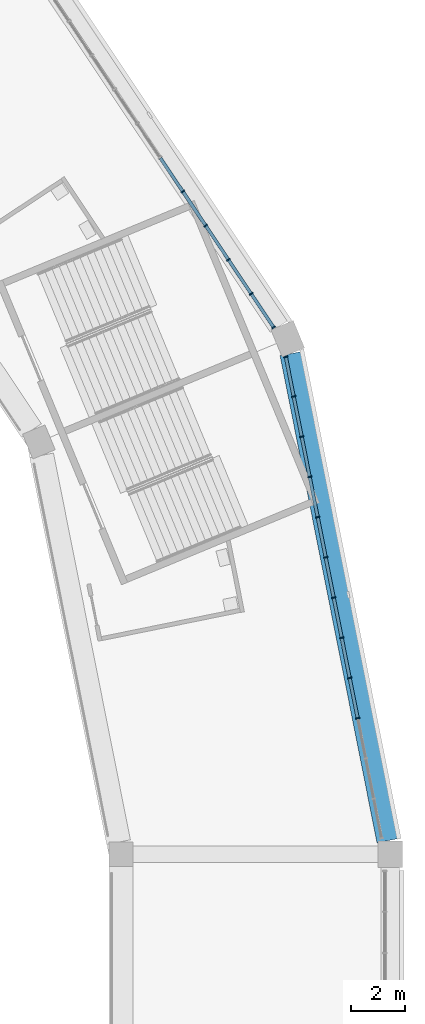
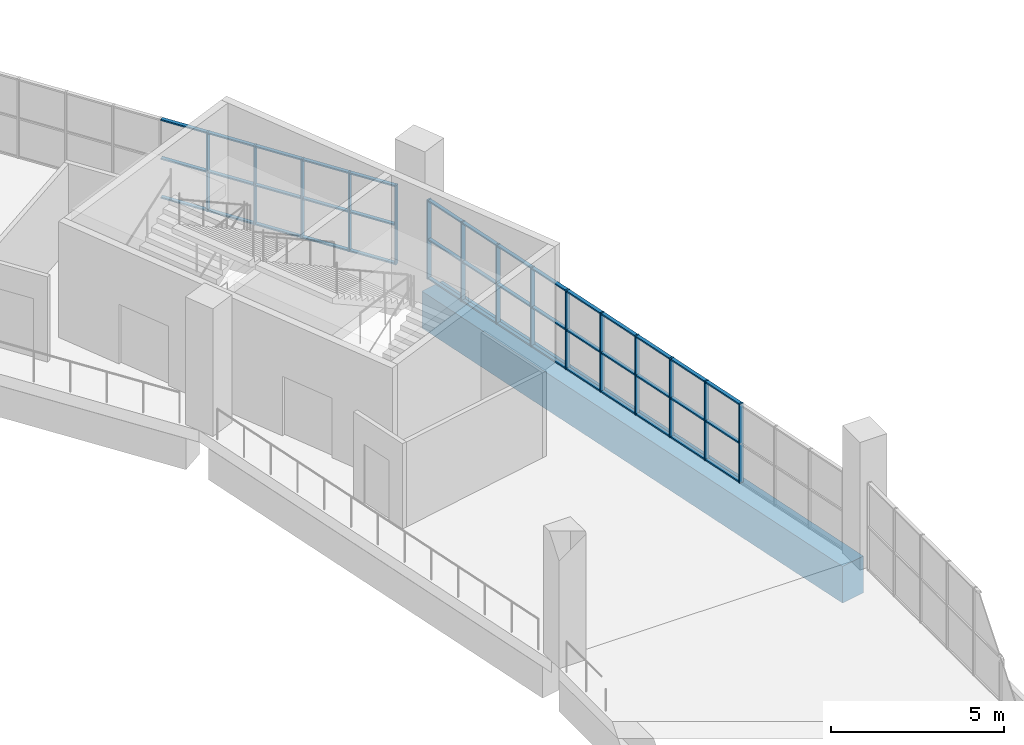
# One storey, part 40 of 177: 57 members, 1 beam, 2 elements without a shape of their own.
"""IFC4 building model written with IfcOpenShell, lengths in metres."""

from ifc_helpers import new_model, si_unit, direction, frame, origin, origin_2d, place, context, subcontext, project, spatial, rectangle, extrude, material, material_profile, profile_set, type_object, element, aggregate, save


model = new_model("IFC4")

# Units and contexts
model_context = context("Model", 3, precision=1e-05, world=origin(), true_north=direction((0.0, 1.0)))
body_context = subcontext(model_context, "Body", "Model", "MODEL_VIEW")
ifc_project = project(units=[si_unit("LENGTHUNIT", "METRE"), si_unit("AREAUNIT", "SQUARE_METRE"), si_unit("VOLUMEUNIT", "CUBIC_METRE"), si_unit("PLANEANGLEUNIT", "RADIAN"), si_unit("MASSUNIT", "GRAM", prefix="KILO")], contexts=[model_context])

# Site, building, storey
site_placement = place(None, origin())
site = spatial("IfcSite", under=ifc_project, at=site_placement, CompositionType="ELEMENT")
building_placement = place(site_placement, origin())
building = spatial("IfcBuilding", under=site, at=building_placement, Name="Ogive Plaza Stadium", CompositionType="ELEMENT")
storey_placement = place(building_placement, frame((0.0, 0.0, 18.0)))
storey = spatial("IfcBuildingStorey", under=building, at=storey_placement, Name="L04", CompositionType="ELEMENT", Elevation=18.0)

# Curtain wall, members
ifc_material_1 = material(Name="Bronze-anodised aluminium with laminated glass", Category="aluminium")
curtain_wall_type = type_object("IfcCurtainWallType", Name="Lancet curtain wall", PredefinedType="NOTDEFINED", material=ifc_material_1)
curtain_wall_1_placement = place(storey_placement, origin())
curtain_wall_1 = element("IfcCurtainWall", 1, at=curtain_wall_1_placement, inside=storey, type_object=curtain_wall_type, Name="CURTAIN WALL B39 L04", PredefinedType="NOTDEFINED")
ifc_material_2 = material(Name="Bronze-anodised aluminium", Category="aluminium")
ifc_material_profile_1 = material_profile(ifc_material_2, rectangle(XDim=0.14990234375, YDim=0.050048828125, at=origin_2d()), Name="AL 150x50")
ifc_profile_set_1 = profile_set([ifc_material_profile_1], Name="Bronze-anodised aluminium")
member_type_1 = type_object("IfcMemberType", Name="Curtain wall mullion 50x150", PredefinedType="MULLION", material=ifc_profile_set_1)
member_1_placement = place(storey_placement, frame((76.2998046875, 77.10205078125, 0.0), z_axis=(0.0, 0.0, 1.0), x_axis=(0.831469612303, 0.55557023302, 0.0)))
member_1 = element("IfcMember", 2, at=member_1_placement, type_object=member_type_1, Name="CW-B39-L04 mullion 9", PredefinedType="MULLION", context=body_context, shape_type="SweptSolid", body=[
    extrude(rectangle(XDim=0.14990234375, YDim=0.050048828125, at=origin_2d()), origin(), (0.0, 0.0, 1.0), 2.7900390625),
])
member_2_placement = place(storey_placement, frame((77.145751953125, 75.836181640625, 0.0), z_axis=(0.0, 0.0, 1.0), x_axis=(0.831469612303, 0.55557023302, 0.0)))
member_2 = element("IfcMember", 3, at=member_2_placement, type_object=member_type_1, Name="CW-B39-L04 mullion 10", PredefinedType="MULLION", context=body_context, shape_type="SweptSolid", body=[
    extrude(rectangle(XDim=0.14990234375, YDim=0.050048828125, at=origin_2d()), origin(), (0.0, 0.0, 1.0), 2.7900390625),
])
member_3_placement = place(storey_placement, frame((77.991455078125, 74.570556640625, 0.0), z_axis=(0.0, 0.0, 1.0), x_axis=(0.831469612303, 0.55557023302, 0.0)))
member_3 = element("IfcMember", 4, at=member_3_placement, type_object=member_type_1, Name="CW-B39-L04 mullion 11", PredefinedType="MULLION", context=body_context, shape_type="SweptSolid", body=[
    extrude(rectangle(XDim=0.14990234375, YDim=0.050048828125, at=origin_2d()), origin(), (0.0, 0.0, 1.0), 2.7900390625),
])
member_4_placement = place(storey_placement, frame((78.837158203125, 73.3046875, 0.0), z_axis=(0.0, 0.0, 1.0), x_axis=(0.831469612303, 0.55557023302, 0.0)))
member_4 = element("IfcMember", 5, at=member_4_placement, type_object=member_type_1, Name="CW-B39-L04 mullion 12", PredefinedType="MULLION", context=body_context, shape_type="SweptSolid", body=[
    extrude(rectangle(XDim=0.14990234375, YDim=0.050048828125, at=origin_2d()), origin(), (0.0, 0.0, 1.0), 2.7900390625),
])
member_5_placement = place(storey_placement, frame((79.669189453125, 72.059814453125, 0.0), z_axis=(0.0, 0.0, 1.0), x_axis=(0.831469612303, 0.55557023302, 0.0)))
member_5 = element("IfcMember", 6, at=member_5_placement, type_object=member_type_1, Name="CW-B39-L04 mullion 13", PredefinedType="MULLION", context=body_context, shape_type="SweptSolid", body=[
    extrude(rectangle(XDim=0.14990234375, YDim=0.050048828125, at=origin_2d()), origin(), (0.0, 0.0, 1.0), 2.7900390625),
])

curtain_wall_2_placement = place(storey_placement, origin())
curtain_wall_2 = element("IfcCurtainWall", 7, at=curtain_wall_2_placement, inside=storey, type_object=curtain_wall_type, Name="CURTAIN WALL B40 L04", PredefinedType="NOTDEFINED")
member_6_placement = place(storey_placement, frame((80.123779296875, 70.962158203125, 0.0), z_axis=(0.0, 0.0, 1.0), x_axis=(0.9807852804, 0.195090322033, 0.0)))
member_6 = element("IfcMember", 8, at=member_6_placement, type_object=member_type_1, Name="CW-B40-L04 mullion 1", PredefinedType="MULLION", context=body_context, shape_type="SweptSolid", body=[
    extrude(rectangle(XDim=0.14990234375, YDim=0.050048828125, at=origin_2d()), origin(), (0.0, 0.0, 1.0), 2.7900390625),
])
member_7_placement = place(storey_placement, frame((80.415771484375, 69.49365234375, 0.0), z_axis=(0.0, 0.0, 1.0), x_axis=(0.9807852804, 0.195090322033, 0.0)))
member_7 = element("IfcMember", 9, at=member_7_placement, type_object=member_type_1, Name="CW-B40-L04 mullion 2", PredefinedType="MULLION", context=body_context, shape_type="SweptSolid", body=[
    extrude(rectangle(XDim=0.14990234375, YDim=0.050048828125, at=origin_2d()), origin(), (0.0, 0.0, 1.0), 2.7900390625),
])
member_8_placement = place(storey_placement, frame((80.712890625, 68.00048828125, 0.0), z_axis=(0.0, 0.0, 1.0), x_axis=(0.9807852804, 0.195090322033, 0.0)))
member_8 = element("IfcMember", 10, at=member_8_placement, type_object=member_type_1, Name="CW-B40-L04 mullion 3", PredefinedType="MULLION", context=body_context, shape_type="SweptSolid", body=[
    extrude(rectangle(XDim=0.14990234375, YDim=0.050048828125, at=origin_2d()), origin(), (0.0, 0.0, 1.0), 2.7900390625),
])
member_9_placement = place(storey_placement, frame((81.009765625, 66.50732421875, 0.0), z_axis=(0.0, 0.0, 1.0), x_axis=(0.9807852804, 0.195090322033, 0.0)))
member_9 = element("IfcMember", 11, at=member_9_placement, type_object=member_type_1, Name="CW-B40-L04 mullion 4", PredefinedType="MULLION", context=body_context, shape_type="SweptSolid", body=[
    extrude(rectangle(XDim=0.14990234375, YDim=0.050048828125, at=origin_2d()), origin(), (0.0, 0.0, 1.0), 2.7900390625),
])
member_10_placement = place(storey_placement, frame((81.306884765625, 65.01416015625, 0.0), z_axis=(0.0, 0.0, 1.0), x_axis=(0.9807852804, 0.195090322033, 0.0)))
member_10 = element("IfcMember", 12, at=member_10_placement, type_object=member_type_1, Name="CW-B40-L04 mullion 5", PredefinedType="MULLION", context=body_context, shape_type="SweptSolid", body=[
    extrude(rectangle(XDim=0.14990234375, YDim=0.050048828125, at=origin_2d()), origin(), (0.0, 0.0, 1.0), 2.7900390625),
])
member_11_placement = place(storey_placement, frame((81.603759765625, 63.521240234375, 0.0), z_axis=(0.0, 0.0, 1.0), x_axis=(0.9807852804, 0.195090322033, 0.0)))
member_11 = element("IfcMember", 13, at=member_11_placement, type_object=member_type_1, Name="CW-B40-L04 mullion 6", PredefinedType="MULLION", context=body_context, shape_type="SweptSolid", body=[
    extrude(rectangle(XDim=0.14990234375, YDim=0.050048828125, at=origin_2d()), origin(), (0.0, 0.0, 1.0), 2.7900390625),
])
member_12_placement = place(storey_placement, frame((81.90087890625, 62.028076171875, 0.0), z_axis=(0.0, 0.0, 1.0), x_axis=(0.9807852804, 0.195090322033, 0.0)))
member_12 = element("IfcMember", 14, at=member_12_placement, type_object=member_type_1, Name="CW-B40-L04 mullion 7", PredefinedType="MULLION", context=body_context, shape_type="SweptSolid", body=[
    extrude(rectangle(XDim=0.14990234375, YDim=0.050048828125, at=origin_2d()), origin(), (0.0, 0.0, 1.0), 2.7900390625),
])
member_13_placement = place(storey_placement, frame((82.19775390625, 60.534912109375, 0.0), z_axis=(0.0, 0.0, 1.0), x_axis=(0.9807852804, 0.195090322033, 0.0)))
member_13 = element("IfcMember", 15, at=member_13_placement, type_object=member_type_1, Name="CW-B40-L04 mullion 8", PredefinedType="MULLION", context=body_context, shape_type="SweptSolid", body=[
    extrude(rectangle(XDim=0.14990234375, YDim=0.050048828125, at=origin_2d()), origin(), (0.0, 0.0, 1.0), 2.7900390625),
])
member_14_placement = place(storey_placement, frame((82.494873046875, 59.0419921875, 0.0), z_axis=(0.0, 0.0, 1.0), x_axis=(0.9807852804, 0.195090322033, 0.0)))
member_14 = element("IfcMember", 16, at=member_14_placement, type_object=member_type_1, Name="CW-B40-L04 mullion 9", PredefinedType="MULLION", context=body_context, shape_type="SweptSolid", body=[
    extrude(rectangle(XDim=0.14990234375, YDim=0.050048828125, at=origin_2d()), origin(), (0.0, 0.0, 1.0), 2.7900390625),
])
member_15_placement = place(storey_placement, frame((82.791748046875, 57.548828125, 0.0), z_axis=(0.0, 0.0, 1.0), x_axis=(0.9807852804, 0.195090322033, 0.0)))
member_15 = element("IfcMember", 17, at=member_15_placement, type_object=member_type_1, Name="CW-B40-L04 mullion 10", PredefinedType="MULLION", context=body_context, shape_type="SweptSolid", body=[
    extrude(rectangle(XDim=0.14990234375, YDim=0.050048828125, at=origin_2d()), origin(), (0.0, 0.0, 1.0), 2.7900390625),
])

# Member
ifc_material_3 = material(Name="Bronze-anodised aluminium", Category="aluminium")
ifc_material_profile_2 = material_profile(ifc_material_3, rectangle(XDim=0.1201171875, YDim=0.050048828125, at=origin_2d()), Name="AL 120x50")
ifc_profile_set_2 = profile_set([ifc_material_profile_2], Name="Bronze-anodised aluminium")
member_type_2 = type_object("IfcMemberType", Name="Curtain wall transom 50x120", PredefinedType="USERDEFINED", material=ifc_profile_set_2)
member_16_placement = place(storey_placement, frame((75.468017578125, 78.34716796875, 0.02490234375), z_axis=(0.555579876157, -0.831463168883, 0.0), x_axis=(0.831463168883, 0.555579876157, 0.0)))
member_16 = element("IfcMember", 18, at=member_16_placement, type_object=member_type_2, Name="CW-B39-L04 transom 8.1", ObjectType="TRANSOM", PredefinedType="USERDEFINED", context=body_context, shape_type="SweptSolid", body=[
    extrude(rectangle(XDim=0.1201171875, YDim=0.050048828125, at=origin_2d()), origin(), (0.0, 0.0, 1.0), 1.47265625),
])

member_17_placement = place(storey_placement, frame((75.468017578125, 78.34716796875, 1.39501953125), z_axis=(0.555579876157, -0.831463168883, 0.0), x_axis=(0.831463168883, 0.555579876157, 0.0)))
member_17 = element("IfcMember", 19, at=member_17_placement, type_object=member_type_2, Name="CW-B39-L04 transom 8.2", ObjectType="TRANSOM", PredefinedType="USERDEFINED", context=body_context, shape_type="SweptSolid", body=[
    extrude(rectangle(XDim=0.1201171875, YDim=0.050048828125, at=origin_2d()), origin(), (0.0, 0.0, 1.0), 1.47265625),
])

member_18_placement = place(storey_placement, frame((75.468017578125, 78.34716796875, 2.764892578125), z_axis=(0.555579876157, -0.831463168883, 0.0), x_axis=(0.831463168883, 0.555579876157, 0.0)))
member_18 = element("IfcMember", 20, at=member_18_placement, type_object=member_type_2, Name="CW-B39-L04 transom 8.3", ObjectType="TRANSOM", PredefinedType="USERDEFINED", context=body_context, shape_type="SweptSolid", body=[
    extrude(rectangle(XDim=0.1201171875, YDim=0.050048828125, at=origin_2d()), origin(), (0.0, 0.0, 1.0), 1.47265625),
])

member_19_placement = place(storey_placement, frame((76.313720703125, 77.081298828125, 0.02490234375), z_axis=(0.555656472512, -0.831411982446, 0.0), x_axis=(0.831411982446, 0.555656472512, 0.0)))
member_19 = element("IfcMember", 21, at=member_19_placement, type_object=member_type_2, Name="CW-B39-L04 transom 9.1", ObjectType="TRANSOM", PredefinedType="USERDEFINED", context=body_context, shape_type="SweptSolid", body=[
    extrude(rectangle(XDim=0.1201171875, YDim=0.050048828125, at=origin_2d()), origin(), (0.0, 0.0, 1.0), 1.472412109375),
])

member_20_placement = place(storey_placement, frame((76.313720703125, 77.081298828125, 1.39501953125), z_axis=(0.555656472512, -0.831411982446, 0.0), x_axis=(0.831411982446, 0.555656472512, 0.0)))
member_20 = element("IfcMember", 22, at=member_20_placement, type_object=member_type_2, Name="CW-B39-L04 transom 9.2", ObjectType="TRANSOM", PredefinedType="USERDEFINED", context=body_context, shape_type="SweptSolid", body=[
    extrude(rectangle(XDim=0.1201171875, YDim=0.050048828125, at=origin_2d()), origin(), (0.0, 0.0, 1.0), 1.472412109375),
])

member_21_placement = place(storey_placement, frame((76.313720703125, 77.081298828125, 2.764892578125), z_axis=(0.555656472512, -0.831411982446, 0.0), x_axis=(0.831411982446, 0.555656472512, 0.0)))
member_21 = element("IfcMember", 23, at=member_21_placement, type_object=member_type_2, Name="CW-B39-L04 transom 9.3", ObjectType="TRANSOM", PredefinedType="USERDEFINED", context=body_context, shape_type="SweptSolid", body=[
    extrude(rectangle(XDim=0.1201171875, YDim=0.050048828125, at=origin_2d()), origin(), (0.0, 0.0, 1.0), 1.472412109375),
])

member_22_placement = place(storey_placement, frame((77.15966796875, 75.8154296875, 0.02490234375), z_axis=(0.555541835587, -0.831488586159, 0.0), x_axis=(0.831488586159, 0.555541835587, 0.0)))
member_22 = element("IfcMember", 24, at=member_22_placement, type_object=member_type_2, Name="CW-B39-L04 transom 10.1", ObjectType="TRANSOM", PredefinedType="USERDEFINED", context=body_context, shape_type="SweptSolid", body=[
    extrude(rectangle(XDim=0.1201171875, YDim=0.050048828125, at=origin_2d()), origin(), (0.0, 0.0, 1.0), 1.47216796875),
])

member_23_placement = place(storey_placement, frame((77.15966796875, 75.8154296875, 1.39501953125), z_axis=(0.555541835587, -0.831488586159, 0.0), x_axis=(0.831488586159, 0.555541835587, 0.0)))
member_23 = element("IfcMember", 25, at=member_23_placement, type_object=member_type_2, Name="CW-B39-L04 transom 10.2", ObjectType="TRANSOM", PredefinedType="USERDEFINED", context=body_context, shape_type="SweptSolid", body=[
    extrude(rectangle(XDim=0.1201171875, YDim=0.050048828125, at=origin_2d()), origin(), (0.0, 0.0, 1.0), 1.47216796875),
])

member_24_placement = place(storey_placement, frame((77.15966796875, 75.8154296875, 2.764892578125), z_axis=(0.555541835587, -0.831488586159, 0.0), x_axis=(0.831488586159, 0.555541835587, 0.0)))
member_24 = element("IfcMember", 26, at=member_24_placement, type_object=member_type_2, Name="CW-B39-L04 transom 10.3", ObjectType="TRANSOM", PredefinedType="USERDEFINED", context=body_context, shape_type="SweptSolid", body=[
    extrude(rectangle(XDim=0.1201171875, YDim=0.050048828125, at=origin_2d()), origin(), (0.0, 0.0, 1.0), 1.47216796875),
])

member_25_placement = place(storey_placement, frame((78.00537109375, 74.5498046875, 0.02490234375), z_axis=(0.555465240925, -0.83153975619, 0.0), x_axis=(0.83153975619, 0.555465240925, 0.0)))
member_25 = element("IfcMember", 27, at=member_25_placement, type_object=member_type_2, Name="CW-B39-L04 transom 11.1", ObjectType="TRANSOM", PredefinedType="USERDEFINED", context=body_context, shape_type="SweptSolid", body=[
    extrude(rectangle(XDim=0.1201171875, YDim=0.050048828125, at=origin_2d()), origin(), (0.0, 0.0, 1.0), 1.472412109375),
])

member_26_placement = place(storey_placement, frame((78.00537109375, 74.5498046875, 1.39501953125), z_axis=(0.555465240925, -0.83153975619, 0.0), x_axis=(0.83153975619, 0.555465240925, 0.0)))
member_26 = element("IfcMember", 28, at=member_26_placement, type_object=member_type_2, Name="CW-B39-L04 transom 11.2", ObjectType="TRANSOM", PredefinedType="USERDEFINED", context=body_context, shape_type="SweptSolid", body=[
    extrude(rectangle(XDim=0.1201171875, YDim=0.050048828125, at=origin_2d()), origin(), (0.0, 0.0, 1.0), 1.472412109375),
])

member_27_placement = place(storey_placement, frame((78.00537109375, 74.5498046875, 2.764892578125), z_axis=(0.555465240925, -0.83153975619, 0.0), x_axis=(0.83153975619, 0.555465240925, 0.0)))
member_27 = element("IfcMember", 29, at=member_27_placement, type_object=member_type_2, Name="CW-B39-L04 transom 11.3", ObjectType="TRANSOM", PredefinedType="USERDEFINED", context=body_context, shape_type="SweptSolid", body=[
    extrude(rectangle(XDim=0.1201171875, YDim=0.050048828125, at=origin_2d()), origin(), (0.0, 0.0, 1.0), 1.472412109375),
])

member_28_placement = place(storey_placement, frame((78.85107421875, 73.283935546875, 0.02490234375), z_axis=(0.555634077892, -0.831426948977, 0.0), x_axis=(0.831426948977, 0.555634077892, 0.0)))
member_28 = element("IfcMember", 30, at=member_28_placement, type_object=member_type_2, Name="CW-B39-L04 transom 12.1", ObjectType="TRANSOM", PredefinedType="USERDEFINED", context=body_context, shape_type="SweptSolid", body=[
    extrude(rectangle(XDim=0.1201171875, YDim=0.050048828125, at=origin_2d()), origin(), (0.0, 0.0, 1.0), 1.447265625),
])

member_29_placement = place(storey_placement, frame((78.85107421875, 73.283935546875, 1.39501953125), z_axis=(0.555634077892, -0.831426948977, 0.0), x_axis=(0.831426948977, 0.555634077892, 0.0)))
member_29 = element("IfcMember", 31, at=member_29_placement, type_object=member_type_2, Name="CW-B39-L04 transom 12.2", ObjectType="TRANSOM", PredefinedType="USERDEFINED", context=body_context, shape_type="SweptSolid", body=[
    extrude(rectangle(XDim=0.1201171875, YDim=0.050048828125, at=origin_2d()), origin(), (0.0, 0.0, 1.0), 1.447265625),
])

member_30_placement = place(storey_placement, frame((78.85107421875, 73.283935546875, 2.764892578125), z_axis=(0.555634077892, -0.831426948977, 0.0), x_axis=(0.831426948977, 0.555634077892, 0.0)))
member_30 = element("IfcMember", 32, at=member_30_placement, type_object=member_type_2, Name="CW-B39-L04 transom 12.3", ObjectType="TRANSOM", PredefinedType="USERDEFINED", context=body_context, shape_type="SweptSolid", body=[
    extrude(rectangle(XDim=0.1201171875, YDim=0.050048828125, at=origin_2d()), origin(), (0.0, 0.0, 1.0), 1.447265625),
])

aggregate(curtain_wall_1, [member_1, member_2, member_3, member_4, member_5, member_16, member_17, member_18, member_19, member_20, member_21, member_22, member_23, member_24, member_25, member_26, member_27, member_28, member_29, member_30])

member_31_placement = place(storey_placement, frame((80.128662109375, 70.9375, 0.02490234375), z_axis=(0.195012996379, -0.98080065826, 0.0), x_axis=(0.98080065826, 0.195012996379, 0.0)))
member_31 = element("IfcMember", 33, at=member_31_placement, type_object=member_type_2, Name="CW-B40-L04 transom 1.1", ObjectType="TRANSOM", PredefinedType="USERDEFINED", context=body_context, shape_type="SweptSolid", body=[
    extrude(rectangle(XDim=0.1201171875, YDim=0.050048828125, at=origin_2d()), origin(), (0.0, 0.0, 1.0), 1.447265625),
])

member_32_placement = place(storey_placement, frame((80.128662109375, 70.9375, 1.39501953125), z_axis=(0.195012996379, -0.98080065826, 0.0), x_axis=(0.98080065826, 0.195012996379, 0.0)))
member_32 = element("IfcMember", 34, at=member_32_placement, type_object=member_type_2, Name="CW-B40-L04 transom 1.2", ObjectType="TRANSOM", PredefinedType="USERDEFINED", context=body_context, shape_type="SweptSolid", body=[
    extrude(rectangle(XDim=0.1201171875, YDim=0.050048828125, at=origin_2d()), origin(), (0.0, 0.0, 1.0), 1.447265625),
])

member_33_placement = place(storey_placement, frame((80.128662109375, 70.9375, 2.764892578125), z_axis=(0.195012996379, -0.98080065826, 0.0), x_axis=(0.98080065826, 0.195012996379, 0.0)))
member_33 = element("IfcMember", 35, at=member_33_placement, type_object=member_type_2, Name="CW-B40-L04 transom 1.3", ObjectType="TRANSOM", PredefinedType="USERDEFINED", context=body_context, shape_type="SweptSolid", body=[
    extrude(rectangle(XDim=0.1201171875, YDim=0.050048828125, at=origin_2d()), origin(), (0.0, 0.0, 1.0), 1.447265625),
])

member_34_placement = place(storey_placement, frame((80.420654296875, 69.468994140625, 0.02490234375), z_axis=(0.195159440417, -0.980771529367, 0.0), x_axis=(0.980771529367, 0.195159440417, 0.0)))
member_34 = element("IfcMember", 36, at=member_34_placement, type_object=member_type_2, Name="CW-B40-L04 transom 2.1", ObjectType="TRANSOM", PredefinedType="USERDEFINED", context=body_context, shape_type="SweptSolid", body=[
    extrude(rectangle(XDim=0.1201171875, YDim=0.050048828125, at=origin_2d()), origin(), (0.0, 0.0, 1.0), 1.472412109375),
])

member_35_placement = place(storey_placement, frame((80.420654296875, 69.468994140625, 1.39501953125), z_axis=(0.195159440417, -0.980771529367, 0.0), x_axis=(0.980771529367, 0.195159440417, 0.0)))
member_35 = element("IfcMember", 37, at=member_35_placement, type_object=member_type_2, Name="CW-B40-L04 transom 2.2", ObjectType="TRANSOM", PredefinedType="USERDEFINED", context=body_context, shape_type="SweptSolid", body=[
    extrude(rectangle(XDim=0.1201171875, YDim=0.050048828125, at=origin_2d()), origin(), (0.0, 0.0, 1.0), 1.472412109375),
])

member_36_placement = place(storey_placement, frame((80.420654296875, 69.468994140625, 2.764892578125), z_axis=(0.195159440417, -0.980771529367, 0.0), x_axis=(0.980771529367, 0.195159440417, 0.0)))
member_36 = element("IfcMember", 38, at=member_36_placement, type_object=member_type_2, Name="CW-B40-L04 transom 2.3", ObjectType="TRANSOM", PredefinedType="USERDEFINED", context=body_context, shape_type="SweptSolid", body=[
    extrude(rectangle(XDim=0.1201171875, YDim=0.050048828125, at=origin_2d()), origin(), (0.0, 0.0, 1.0), 1.472412109375),
])

member_37_placement = place(storey_placement, frame((80.7177734375, 67.975830078125, 0.02490234375), z_axis=(0.19503165555, -0.980796948065, 0.0), x_axis=(0.980796948065, 0.19503165555, 0.0)))
member_37 = element("IfcMember", 39, at=member_37_placement, type_object=member_type_2, Name="CW-B40-L04 transom 3.1", ObjectType="TRANSOM", PredefinedType="USERDEFINED", context=body_context, shape_type="SweptSolid", body=[
    extrude(rectangle(XDim=0.1201171875, YDim=0.050048828125, at=origin_2d()), origin(), (0.0, 0.0, 1.0), 1.47216796875),
])

member_38_placement = place(storey_placement, frame((80.7177734375, 67.975830078125, 1.39501953125), z_axis=(0.19503165555, -0.980796948065, 0.0), x_axis=(0.980796948065, 0.19503165555, 0.0)))
member_38 = element("IfcMember", 40, at=member_38_placement, type_object=member_type_2, Name="CW-B40-L04 transom 3.2", ObjectType="TRANSOM", PredefinedType="USERDEFINED", context=body_context, shape_type="SweptSolid", body=[
    extrude(rectangle(XDim=0.1201171875, YDim=0.050048828125, at=origin_2d()), origin(), (0.0, 0.0, 1.0), 1.47216796875),
])

member_39_placement = place(storey_placement, frame((80.7177734375, 67.975830078125, 2.764892578125), z_axis=(0.19503165555, -0.980796948065, 0.0), x_axis=(0.980796948065, 0.19503165555, 0.0)))
member_39 = element("IfcMember", 41, at=member_39_placement, type_object=member_type_2, Name="CW-B40-L04 transom 3.3", ObjectType="TRANSOM", PredefinedType="USERDEFINED", context=body_context, shape_type="SweptSolid", body=[
    extrude(rectangle(XDim=0.1201171875, YDim=0.050048828125, at=origin_2d()), origin(), (0.0, 0.0, 1.0), 1.47216796875),
])

member_40_placement = place(storey_placement, frame((81.0146484375, 66.48291015625, 0.02490234375), z_axis=(0.195159440417, -0.980771529367, 0.0), x_axis=(0.980771529367, 0.195159440417, 0.0)))
member_40 = element("IfcMember", 42, at=member_40_placement, type_object=member_type_2, Name="CW-B40-L04 transom 4.1", ObjectType="TRANSOM", PredefinedType="USERDEFINED", context=body_context, shape_type="SweptSolid", body=[
    extrude(rectangle(XDim=0.1201171875, YDim=0.050048828125, at=origin_2d()), origin(), (0.0, 0.0, 1.0), 1.472412109375),
])

member_41_placement = place(storey_placement, frame((81.0146484375, 66.48291015625, 1.39501953125), z_axis=(0.195159440417, -0.980771529367, 0.0), x_axis=(0.980771529367, 0.195159440417, 0.0)))
member_41 = element("IfcMember", 43, at=member_41_placement, type_object=member_type_2, Name="CW-B40-L04 transom 4.2", ObjectType="TRANSOM", PredefinedType="USERDEFINED", context=body_context, shape_type="SweptSolid", body=[
    extrude(rectangle(XDim=0.1201171875, YDim=0.050048828125, at=origin_2d()), origin(), (0.0, 0.0, 1.0), 1.472412109375),
])

member_42_placement = place(storey_placement, frame((81.0146484375, 66.48291015625, 2.764892578125), z_axis=(0.195159440417, -0.980771529367, 0.0), x_axis=(0.980771529367, 0.195159440417, 0.0)))
member_42 = element("IfcMember", 44, at=member_42_placement, type_object=member_type_2, Name="CW-B40-L04 transom 4.3", ObjectType="TRANSOM", PredefinedType="USERDEFINED", context=body_context, shape_type="SweptSolid", body=[
    extrude(rectangle(XDim=0.1201171875, YDim=0.050048828125, at=origin_2d()), origin(), (0.0, 0.0, 1.0), 1.472412109375),
])

member_43_placement = place(storey_placement, frame((81.311767578125, 64.98974609375, 0.02490234375), z_axis=(0.194999937042, -0.980803254763, 0.0), x_axis=(0.980803254763, 0.194999937042, 0.0)))
member_43 = element("IfcMember", 45, at=member_43_placement, type_object=member_type_2, Name="CW-B40-L04 transom 5.1", ObjectType="TRANSOM", PredefinedType="USERDEFINED", context=body_context, shape_type="SweptSolid", body=[
    extrude(rectangle(XDim=0.1201171875, YDim=0.050048828125, at=origin_2d()), origin(), (0.0, 0.0, 1.0), 1.472412109375),
])

member_44_placement = place(storey_placement, frame((81.311767578125, 64.98974609375, 1.39501953125), z_axis=(0.194999937042, -0.980803254763, 0.0), x_axis=(0.980803254763, 0.194999937042, 0.0)))
member_44 = element("IfcMember", 46, at=member_44_placement, type_object=member_type_2, Name="CW-B40-L04 transom 5.2", ObjectType="TRANSOM", PredefinedType="USERDEFINED", context=body_context, shape_type="SweptSolid", body=[
    extrude(rectangle(XDim=0.1201171875, YDim=0.050048828125, at=origin_2d()), origin(), (0.0, 0.0, 1.0), 1.472412109375),
])

member_45_placement = place(storey_placement, frame((81.311767578125, 64.98974609375, 2.764892578125), z_axis=(0.194999937042, -0.980803254763, 0.0), x_axis=(0.980803254763, 0.194999937042, 0.0)))
member_45 = element("IfcMember", 47, at=member_45_placement, type_object=member_type_2, Name="CW-B40-L04 transom 5.3", ObjectType="TRANSOM", PredefinedType="USERDEFINED", context=body_context, shape_type="SweptSolid", body=[
    extrude(rectangle(XDim=0.1201171875, YDim=0.050048828125, at=origin_2d()), origin(), (0.0, 0.0, 1.0), 1.472412109375),
])

member_46_placement = place(storey_placement, frame((81.608642578125, 63.49658203125, 0.02490234375), z_axis=(0.195159440417, -0.980771529367, 0.0), x_axis=(0.980771529367, 0.195159440417, 0.0)))
member_46 = element("IfcMember", 48, at=member_46_placement, type_object=member_type_2, Name="CW-B40-L04 transom 6.1", ObjectType="TRANSOM", PredefinedType="USERDEFINED", context=body_context, shape_type="SweptSolid", body=[
    extrude(rectangle(XDim=0.1201171875, YDim=0.050048828125, at=origin_2d()), origin(), (0.0, 0.0, 1.0), 1.472412109375),
])

member_47_placement = place(storey_placement, frame((81.608642578125, 63.49658203125, 1.39501953125), z_axis=(0.195159440417, -0.980771529367, 0.0), x_axis=(0.980771529367, 0.195159440417, 0.0)))
member_47 = element("IfcMember", 49, at=member_47_placement, type_object=member_type_2, Name="CW-B40-L04 transom 6.2", ObjectType="TRANSOM", PredefinedType="USERDEFINED", context=body_context, shape_type="SweptSolid", body=[
    extrude(rectangle(XDim=0.1201171875, YDim=0.050048828125, at=origin_2d()), origin(), (0.0, 0.0, 1.0), 1.472412109375),
])

member_48_placement = place(storey_placement, frame((81.608642578125, 63.49658203125, 2.764892578125), z_axis=(0.195159440417, -0.980771529367, 0.0), x_axis=(0.980771529367, 0.195159440417, 0.0)))
member_48 = element("IfcMember", 50, at=member_48_placement, type_object=member_type_2, Name="CW-B40-L04 transom 6.3", ObjectType="TRANSOM", PredefinedType="USERDEFINED", context=body_context, shape_type="SweptSolid", body=[
    extrude(rectangle(XDim=0.1201171875, YDim=0.050048828125, at=origin_2d()), origin(), (0.0, 0.0, 1.0), 1.472412109375),
])

member_49_placement = place(storey_placement, frame((81.90576171875, 62.003662109375, 0.02490234375), z_axis=(0.194999937042, -0.980803254763, 0.0), x_axis=(0.980803254763, 0.194999937042, 0.0)))
member_49 = element("IfcMember", 51, at=member_49_placement, type_object=member_type_2, Name="CW-B40-L04 transom 7.1", ObjectType="TRANSOM", PredefinedType="USERDEFINED", context=body_context, shape_type="SweptSolid", body=[
    extrude(rectangle(XDim=0.1201171875, YDim=0.050048828125, at=origin_2d()), origin(), (0.0, 0.0, 1.0), 1.472412109375),
])

member_50_placement = place(storey_placement, frame((81.90576171875, 62.003662109375, 1.39501953125), z_axis=(0.194999937042, -0.980803254763, 0.0), x_axis=(0.980803254763, 0.194999937042, 0.0)))
member_50 = element("IfcMember", 52, at=member_50_placement, type_object=member_type_2, Name="CW-B40-L04 transom 7.2", ObjectType="TRANSOM", PredefinedType="USERDEFINED", context=body_context, shape_type="SweptSolid", body=[
    extrude(rectangle(XDim=0.1201171875, YDim=0.050048828125, at=origin_2d()), origin(), (0.0, 0.0, 1.0), 1.472412109375),
])

member_51_placement = place(storey_placement, frame((81.90576171875, 62.003662109375, 2.764892578125), z_axis=(0.194999937042, -0.980803254763, 0.0), x_axis=(0.980803254763, 0.194999937042, 0.0)))
member_51 = element("IfcMember", 53, at=member_51_placement, type_object=member_type_2, Name="CW-B40-L04 transom 7.3", ObjectType="TRANSOM", PredefinedType="USERDEFINED", context=body_context, shape_type="SweptSolid", body=[
    extrude(rectangle(XDim=0.1201171875, YDim=0.050048828125, at=origin_2d()), origin(), (0.0, 0.0, 1.0), 1.472412109375),
])

member_52_placement = place(storey_placement, frame((82.20263671875, 60.510498046875, 0.02490234375), z_axis=(0.195159440417, -0.980771529367, 0.0), x_axis=(0.980771529367, 0.195159440417, 0.0)))
member_52 = element("IfcMember", 54, at=member_52_placement, type_object=member_type_2, Name="CW-B40-L04 transom 8.1", ObjectType="TRANSOM", PredefinedType="USERDEFINED", context=body_context, shape_type="SweptSolid", body=[
    extrude(rectangle(XDim=0.1201171875, YDim=0.050048828125, at=origin_2d()), origin(), (0.0, 0.0, 1.0), 1.472412109375),
])

member_53_placement = place(storey_placement, frame((82.20263671875, 60.510498046875, 1.39501953125), z_axis=(0.195159440417, -0.980771529367, 0.0), x_axis=(0.980771529367, 0.195159440417, 0.0)))
member_53 = element("IfcMember", 55, at=member_53_placement, type_object=member_type_2, Name="CW-B40-L04 transom 8.2", ObjectType="TRANSOM", PredefinedType="USERDEFINED", context=body_context, shape_type="SweptSolid", body=[
    extrude(rectangle(XDim=0.1201171875, YDim=0.050048828125, at=origin_2d()), origin(), (0.0, 0.0, 1.0), 1.472412109375),
])

member_54_placement = place(storey_placement, frame((82.20263671875, 60.510498046875, 2.764892578125), z_axis=(0.195159440417, -0.980771529367, 0.0), x_axis=(0.980771529367, 0.195159440417, 0.0)))
member_54 = element("IfcMember", 56, at=member_54_placement, type_object=member_type_2, Name="CW-B40-L04 transom 8.3", ObjectType="TRANSOM", PredefinedType="USERDEFINED", context=body_context, shape_type="SweptSolid", body=[
    extrude(rectangle(XDim=0.1201171875, YDim=0.050048828125, at=origin_2d()), origin(), (0.0, 0.0, 1.0), 1.472412109375),
])

member_55_placement = place(storey_placement, frame((82.499755859375, 59.017333984375, 0.02490234375), z_axis=(0.194999937042, -0.980803254763, 0.0), x_axis=(0.980803254763, 0.194999937042, 0.0)))
member_55 = element("IfcMember", 57, at=member_55_placement, type_object=member_type_2, Name="CW-B40-L04 transom 9.1", ObjectType="TRANSOM", PredefinedType="USERDEFINED", context=body_context, shape_type="SweptSolid", body=[
    extrude(rectangle(XDim=0.1201171875, YDim=0.050048828125, at=origin_2d()), origin(), (0.0, 0.0, 1.0), 1.472412109375),
])

member_56_placement = place(storey_placement, frame((82.499755859375, 59.017333984375, 1.39501953125), z_axis=(0.194999937042, -0.980803254763, 0.0), x_axis=(0.980803254763, 0.194999937042, 0.0)))
member_56 = element("IfcMember", 58, at=member_56_placement, type_object=member_type_2, Name="CW-B40-L04 transom 9.2", ObjectType="TRANSOM", PredefinedType="USERDEFINED", context=body_context, shape_type="SweptSolid", body=[
    extrude(rectangle(XDim=0.1201171875, YDim=0.050048828125, at=origin_2d()), origin(), (0.0, 0.0, 1.0), 1.472412109375),
])

member_57_placement = place(storey_placement, frame((82.499755859375, 59.017333984375, 2.764892578125), z_axis=(0.194999937042, -0.980803254763, 0.0), x_axis=(0.980803254763, 0.194999937042, 0.0)))
member_57 = element("IfcMember", 59, at=member_57_placement, type_object=member_type_2, Name="CW-B40-L04 transom 9.3", ObjectType="TRANSOM", PredefinedType="USERDEFINED", context=body_context, shape_type="SweptSolid", body=[
    extrude(rectangle(XDim=0.1201171875, YDim=0.050048828125, at=origin_2d()), origin(), (0.0, 0.0, 1.0), 1.472412109375),
])

aggregate(curtain_wall_2, [member_6, member_7, member_8, member_9, member_10, member_11, member_12, member_13, member_14, member_15, member_31, member_32, member_33, member_34, member_35, member_36, member_37, member_38, member_39, member_40, member_41, member_42, member_43, member_44, member_45, member_46, member_47, member_48, member_49, member_50, member_51, member_52, member_53, member_54, member_55, member_56, member_57])

# Beam
ifc_material_4 = material(Name="Concrete C40/50", Category="concrete")
ifc_material_profile_3 = material_profile(ifc_material_4, rectangle(XDim=0.800048828125, YDim=1.300048828125, at=origin_2d()), Name="RC 800x1300")
ifc_profile_set_3 = profile_set([ifc_material_profile_3], Name="Concrete C40/50")
beam_type = type_object("IfcBeamType", Name="RC spandrel beam 800x1300", PredefinedType="SPANDREL", material=ifc_profile_set_3)
beam_placement = place(storey_placement, frame((80.303466796875, 71.084228515625, -1.06005859375), z_axis=(0.195089866178, -0.980785371075, 0.0), x_axis=(0.980785371075, 0.195089866178, 0.0)))
element("IfcBeam", 60, at=beam_placement, inside=storey, type_object=beam_type, Name="Ring beam F5 L04 B40", PredefinedType="SPANDREL", context=body_context, shape_type="SweptSolid", body=[
    extrude(rectangle(XDim=0.800048828125, YDim=1.300048828125, at=origin_2d()), origin(), (0.0, 0.0, 1.0), 18.4384765625),
])

save(model, "model.ifc")
